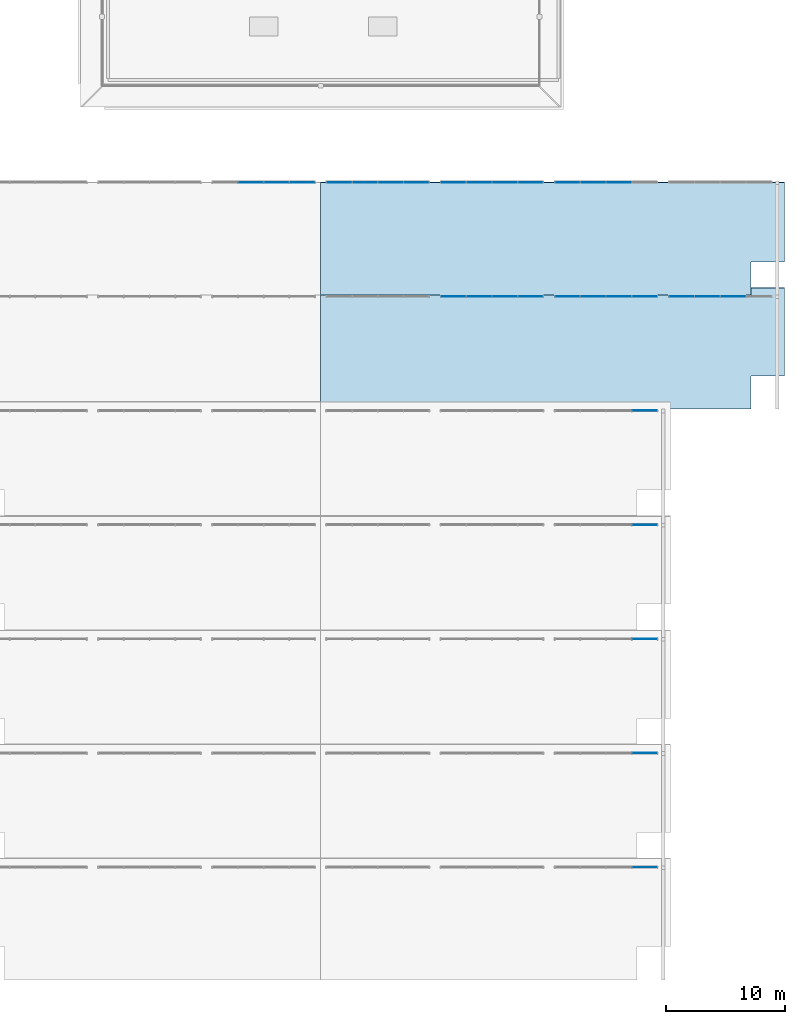
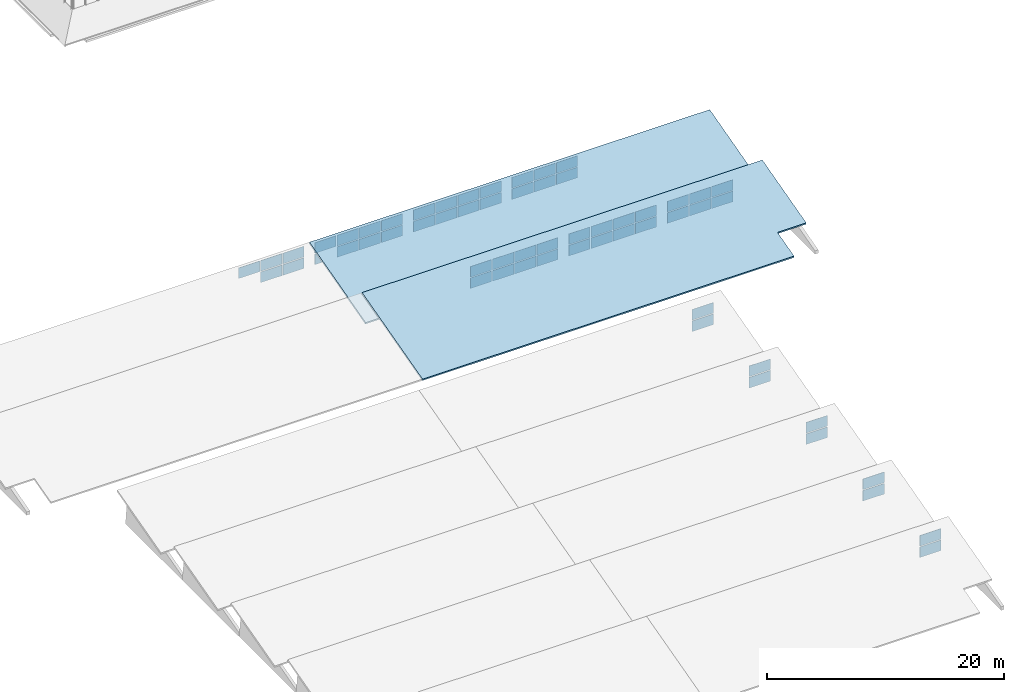
# One storey, part 15 of 18: 59 plates, 2 slabs, 12 elements without a shape of their own.
"""IFC4 building model written with IfcOpenShell, lengths in metres."""

from ifc_helpers import new_model, si_unit, direction, frame, origin, origin_2d, place, context, subcontext, project, spatial, polyline, rectangle, outline, extrude, material, layer, layer_set, type_object, element, aggregate, save


model = new_model("IFC4")

# Units and contexts
model_context = context("Model", 3, precision=1e-05, world=origin(), true_north=direction((0.0, 1.0)))
body_context = subcontext(model_context, "Body", "Model", "MODEL_VIEW")
ifc_project = project(units=[si_unit("LENGTHUNIT", "METRE"), si_unit("AREAUNIT", "SQUARE_METRE"), si_unit("VOLUMEUNIT", "CUBIC_METRE"), si_unit("PLANEANGLEUNIT", "RADIAN"), si_unit("MASSUNIT", "GRAM", prefix="KILO")], contexts=[model_context])

# Site, building, storey
site_placement = place(None, origin())
site = spatial("IfcSite", under=ifc_project, at=site_placement, CompositionType="ELEMENT")
building_placement = place(site_placement, origin())
building = spatial("IfcBuilding", under=site, at=building_placement, Name="Bempovik Park Faculty of Sciences", CompositionType="ELEMENT")
storey_placement = place(building_placement, frame((0.0, 0.0, 50.10009765625)))
storey = spatial("IfcBuildingStorey", under=building, at=storey_placement, Name="Roof", CompositionType="ELEMENT", Elevation=50.10009765625)

# Curtain wall, plates
ifc_material_1 = material(Name="Tempered laminated low-E glass", Category="glass")
ifc_layer_1 = layer(ifc_material_1, 0.159912109375)
ifc_layer_set_1 = layer_set([ifc_layer_1], Name="Tempered laminated low-E glass")
curtain_wall_type_1 = type_object("IfcCurtainWallType", Name="CW-17 Curtain 7200x2550", PredefinedType="USERDEFINED", material=ifc_layer_set_1)
curtain_wall_1_placement = place(storey_placement, origin())
curtain_wall_1 = element("IfcCurtainWall", 1, at=curtain_wall_1_placement, inside=storey, type_object=curtain_wall_type_1, Name="V1 Sawtooth North-Light Clerestory Bay 1 (108.0-117.6)", ObjectType="NORTH LIGHT CLERESTORY", PredefinedType="USERDEFINED")
ifc_layer_2 = layer(ifc_material_1, 0.031982421875)
ifc_layer_set_2 = layer_set([ifc_layer_2], Name="Tempered laminated low-E glass")
plate_type = type_object("IfcPlateType", Name="CP-23 Curtain Panel 32mm", PredefinedType="CURTAIN_PANEL", material=ifc_layer_set_2)
plate_1_placement = place(storey_placement, frame((116.0400390625, 29.280029296875, -30.16015625), z_axis=(0.0, 0.0, 1.0), x_axis=(1.0, 0.0, 0.0)))
plate_1 = element("IfcPlate", 2, at=plate_1_placement, type_object=plate_type, Name="CW-NL-V1-B1-1080 Panel 3-0", PredefinedType="CURTAIN_PANEL", context=body_context, shape_type="SweptSolid", body=[
    extrude(rectangle(XDim=2.080078125, YDim=0.035888671875, at=origin_2d()), origin(), (0.0, 0.0, 1.0), 1.09619140625),
])
plate_2_placement = place(storey_placement, frame((116.0400390625, 29.280029296875, -28.98388671875), z_axis=(0.0, 0.0, 1.0), x_axis=(1.0, 0.0, 0.0)))
plate_2 = element("IfcPlate", 3, at=plate_2_placement, type_object=plate_type, Name="CW-NL-V1-B1-1080 Panel 3-1", PredefinedType="CURTAIN_PANEL", context=body_context, shape_type="SweptSolid", body=[
    extrude(rectangle(XDim=2.080078125, YDim=0.035888671875, at=origin_2d()), origin(), (0.0, 0.0, 1.0), 1.09619140625),
])
aggregate(curtain_wall_1, [plate_1, plate_2])

curtain_wall_2_placement = place(storey_placement, origin())
curtain_wall_2 = element("IfcCurtainWall", 4, at=curtain_wall_2_placement, inside=storey, type_object=curtain_wall_type_1, Name="V1 Sawtooth North-Light Clerestory Bay 2 (108.0-117.6)", ObjectType="NORTH LIGHT CLERESTORY", PredefinedType="USERDEFINED")
plate_3_placement = place(storey_placement, frame((116.0400390625, 38.8798828125, -30.16015625), z_axis=(0.0, 0.0, 1.0), x_axis=(1.0, 0.0, 0.0)))
plate_3 = element("IfcPlate", 5, at=plate_3_placement, type_object=plate_type, Name="CW-NL-V1-B2-1080 Panel 3-0", PredefinedType="CURTAIN_PANEL", context=body_context, shape_type="SweptSolid", body=[
    extrude(rectangle(XDim=2.080078125, YDim=0.035888671875, at=origin_2d()), origin(), (0.0, 0.0, 1.0), 1.09619140625),
])
plate_4_placement = place(storey_placement, frame((116.0400390625, 38.8798828125, -28.98388671875), z_axis=(0.0, 0.0, 1.0), x_axis=(1.0, 0.0, 0.0)))
plate_4 = element("IfcPlate", 6, at=plate_4_placement, type_object=plate_type, Name="CW-NL-V1-B2-1080 Panel 3-1", PredefinedType="CURTAIN_PANEL", context=body_context, shape_type="SweptSolid", body=[
    extrude(rectangle(XDim=2.080078125, YDim=0.035888671875, at=origin_2d()), origin(), (0.0, 0.0, 1.0), 1.09619140625),
])
aggregate(curtain_wall_2, [plate_3, plate_4])

curtain_wall_3_placement = place(storey_placement, origin())
curtain_wall_3 = element("IfcCurtainWall", 7, at=curtain_wall_3_placement, inside=storey, type_object=curtain_wall_type_1, Name="V1 Sawtooth North-Light Clerestory Bay 3 (108.0-117.6)", ObjectType="NORTH LIGHT CLERESTORY", PredefinedType="USERDEFINED")
plate_5_placement = place(storey_placement, frame((116.0400390625, 48.47998046875, -30.16015625), z_axis=(0.0, 0.0, 1.0), x_axis=(1.0, 0.0, 0.0)))
plate_5 = element("IfcPlate", 8, at=plate_5_placement, type_object=plate_type, Name="CW-NL-V1-B3-1080 Panel 3-0", PredefinedType="CURTAIN_PANEL", context=body_context, shape_type="SweptSolid", body=[
    extrude(rectangle(XDim=2.080078125, YDim=0.035888671875, at=origin_2d()), origin(), (0.0, 0.0, 1.0), 1.09619140625),
])
plate_6_placement = place(storey_placement, frame((116.0400390625, 48.47998046875, -28.98388671875), z_axis=(0.0, 0.0, 1.0), x_axis=(1.0, 0.0, 0.0)))
plate_6 = element("IfcPlate", 9, at=plate_6_placement, type_object=plate_type, Name="CW-NL-V1-B3-1080 Panel 3-1", PredefinedType="CURTAIN_PANEL", context=body_context, shape_type="SweptSolid", body=[
    extrude(rectangle(XDim=2.080078125, YDim=0.035888671875, at=origin_2d()), origin(), (0.0, 0.0, 1.0), 1.09619140625),
])
aggregate(curtain_wall_3, [plate_5, plate_6])

curtain_wall_4_placement = place(storey_placement, origin())
curtain_wall_4 = element("IfcCurtainWall", 10, at=curtain_wall_4_placement, inside=storey, type_object=curtain_wall_type_1, Name="V1 Sawtooth North-Light Clerestory Bay 4 (108.0-117.6)", ObjectType="NORTH LIGHT CLERESTORY", PredefinedType="USERDEFINED")
plate_7_placement = place(storey_placement, frame((116.0400390625, 58.080078125, -30.16015625), z_axis=(0.0, 0.0, 1.0), x_axis=(1.0, 0.0, 0.0)))
plate_7 = element("IfcPlate", 11, at=plate_7_placement, type_object=plate_type, Name="CW-NL-V1-B4-1080 Panel 3-0", PredefinedType="CURTAIN_PANEL", context=body_context, shape_type="SweptSolid", body=[
    extrude(rectangle(XDim=2.080078125, YDim=0.035888671875, at=origin_2d()), origin(), (0.0, 0.0, 1.0), 1.09619140625),
])
plate_8_placement = place(storey_placement, frame((116.0400390625, 58.080078125, -28.98388671875), z_axis=(0.0, 0.0, 1.0), x_axis=(1.0, 0.0, 0.0)))
plate_8 = element("IfcPlate", 12, at=plate_8_placement, type_object=plate_type, Name="CW-NL-V1-B4-1080 Panel 3-1", PredefinedType="CURTAIN_PANEL", context=body_context, shape_type="SweptSolid", body=[
    extrude(rectangle(XDim=2.080078125, YDim=0.035888671875, at=origin_2d()), origin(), (0.0, 0.0, 1.0), 1.09619140625),
])
aggregate(curtain_wall_4, [plate_7, plate_8])

curtain_wall_5_placement = place(storey_placement, origin())
curtain_wall_5 = element("IfcCurtainWall", 13, at=curtain_wall_5_placement, inside=storey, type_object=curtain_wall_type_1, Name="V1 Sawtooth North-Light Clerestory Bay 5 (108.0-117.6)", ObjectType="NORTH LIGHT CLERESTORY", PredefinedType="USERDEFINED")
plate_9_placement = place(storey_placement, frame((116.0400390625, 67.679931640625, -30.16015625), z_axis=(0.0, 0.0, 1.0), x_axis=(1.0, 0.0, 0.0)))
plate_9 = element("IfcPlate", 14, at=plate_9_placement, type_object=plate_type, Name="CW-NL-V1-B5-1080 Panel 3-0", PredefinedType="CURTAIN_PANEL", context=body_context, shape_type="SweptSolid", body=[
    extrude(rectangle(XDim=2.080078125, YDim=0.035888671875, at=origin_2d()), origin(), (0.0, 0.0, 1.0), 1.09619140625),
])
plate_10_placement = place(storey_placement, frame((116.0400390625, 67.679931640625, -28.98388671875), z_axis=(0.0, 0.0, 1.0), x_axis=(1.0, 0.0, 0.0)))
plate_10 = element("IfcPlate", 15, at=plate_10_placement, type_object=plate_type, Name="CW-NL-V1-B5-1080 Panel 3-1", PredefinedType="CURTAIN_PANEL", context=body_context, shape_type="SweptSolid", body=[
    extrude(rectangle(XDim=2.080078125, YDim=0.035888671875, at=origin_2d()), origin(), (0.0, 0.0, 1.0), 1.09619140625),
])
aggregate(curtain_wall_5, [plate_9, plate_10])

ifc_layer_3 = layer(ifc_material_1, 0.159912109375)
ifc_layer_set_3 = layer_set([ifc_layer_3], Name="Tempered laminated low-E glass")
curtain_wall_type_2 = type_object("IfcCurtainWallType", Name="CW-15 Curtain 8000x2550", PredefinedType="USERDEFINED", material=ifc_layer_set_3)
curtain_wall_6_placement = place(storey_placement, origin())
curtain_wall_6 = element("IfcCurtainWall", 16, at=curtain_wall_6_placement, inside=storey, type_object=curtain_wall_type_2, Name="V2 Atrium Sawtooth North-Light Clerestory Bay 1 (98.4-108.0)", ObjectType="NORTH LIGHT CLERESTORY", PredefinedType="USERDEFINED")
plate_11_placement = place(storey_placement, frame((99.9599609375, 77.280029296875, -25.93017578125), z_axis=(0.0, 0.0, 1.0), x_axis=(1.0, 0.0, 0.0)))
plate_11 = element("IfcPlate", 17, at=plate_11_placement, type_object=plate_type, Name="CW-NL-V2-B1-984 Panel 0-0", PredefinedType="CURTAIN_PANEL", context=body_context, shape_type="SweptSolid", body=[
    extrude(rectangle(XDim=2.080078125, YDim=0.035888671875, at=origin_2d()), origin(), (0.0, 0.0, 1.0), 1.09619140625),
])
plate_12_placement = place(storey_placement, frame((99.9599609375, 77.280029296875, -24.75390625), z_axis=(0.0, 0.0, 1.0), x_axis=(1.0, 0.0, 0.0)))
plate_12 = element("IfcPlate", 18, at=plate_12_placement, type_object=plate_type, Name="CW-NL-V2-B1-984 Panel 0-1", PredefinedType="CURTAIN_PANEL", context=body_context, shape_type="SweptSolid", body=[
    extrude(rectangle(XDim=2.080078125, YDim=0.035888671875, at=origin_2d()), origin(), (0.0, 0.0, 1.0), 1.09619140625),
])
plate_13_placement = place(storey_placement, frame((102.1201171875, 77.280029296875, -25.93017578125), z_axis=(0.0, 0.0, 1.0), x_axis=(1.0, 0.0, 0.0)))
plate_13 = element("IfcPlate", 19, at=plate_13_placement, type_object=plate_type, Name="CW-NL-V2-B1-984 Panel 1-0", PredefinedType="CURTAIN_PANEL", context=body_context, shape_type="SweptSolid", body=[
    extrude(rectangle(XDim=2.080078125, YDim=0.035888671875, at=origin_2d()), origin(), (0.0, 0.0, 1.0), 1.09619140625),
])
plate_14_placement = place(storey_placement, frame((102.1201171875, 77.280029296875, -24.75390625), z_axis=(0.0, 0.0, 1.0), x_axis=(1.0, 0.0, 0.0)))
plate_14 = element("IfcPlate", 20, at=plate_14_placement, type_object=plate_type, Name="CW-NL-V2-B1-984 Panel 1-1", PredefinedType="CURTAIN_PANEL", context=body_context, shape_type="SweptSolid", body=[
    extrude(rectangle(XDim=2.080078125, YDim=0.035888671875, at=origin_2d()), origin(), (0.0, 0.0, 1.0), 1.09619140625),
])
plate_15_placement = place(storey_placement, frame((104.280029296875, 77.280029296875, -25.93017578125), z_axis=(0.0, 0.0, 1.0), x_axis=(1.0, 0.0, 0.0)))
plate_15 = element("IfcPlate", 21, at=plate_15_placement, type_object=plate_type, Name="CW-NL-V2-B1-984 Panel 2-0", PredefinedType="CURTAIN_PANEL", context=body_context, shape_type="SweptSolid", body=[
    extrude(rectangle(XDim=2.080078125, YDim=0.035888671875, at=origin_2d()), origin(), (0.0, 0.0, 1.0), 1.09619140625),
])
plate_16_placement = place(storey_placement, frame((104.280029296875, 77.280029296875, -24.75390625), z_axis=(0.0, 0.0, 1.0), x_axis=(1.0, 0.0, 0.0)))
plate_16 = element("IfcPlate", 22, at=plate_16_placement, type_object=plate_type, Name="CW-NL-V2-B1-984 Panel 2-1", PredefinedType="CURTAIN_PANEL", context=body_context, shape_type="SweptSolid", body=[
    extrude(rectangle(XDim=2.080078125, YDim=0.035888671875, at=origin_2d()), origin(), (0.0, 0.0, 1.0), 1.09619140625),
])
plate_17_placement = place(storey_placement, frame((106.43994140625, 77.280029296875, -25.93017578125), z_axis=(0.0, 0.0, 1.0), x_axis=(1.0, 0.0, 0.0)))
plate_17 = element("IfcPlate", 23, at=plate_17_placement, type_object=plate_type, Name="CW-NL-V2-B1-984 Panel 3-0", PredefinedType="CURTAIN_PANEL", context=body_context, shape_type="SweptSolid", body=[
    extrude(rectangle(XDim=2.080078125, YDim=0.035888671875, at=origin_2d()), origin(), (0.0, 0.0, 1.0), 1.09619140625),
])
plate_18_placement = place(storey_placement, frame((106.43994140625, 77.280029296875, -24.75390625), z_axis=(0.0, 0.0, 1.0), x_axis=(1.0, 0.0, 0.0)))
plate_18 = element("IfcPlate", 24, at=plate_18_placement, type_object=plate_type, Name="CW-NL-V2-B1-984 Panel 3-1", PredefinedType="CURTAIN_PANEL", context=body_context, shape_type="SweptSolid", body=[
    extrude(rectangle(XDim=2.080078125, YDim=0.035888671875, at=origin_2d()), origin(), (0.0, 0.0, 1.0), 1.09619140625),
])
aggregate(curtain_wall_6, [plate_11, plate_12, plate_13, plate_14, plate_15, plate_16, plate_17, plate_18])

curtain_wall_7_placement = place(storey_placement, origin())
curtain_wall_7 = element("IfcCurtainWall", 25, at=curtain_wall_7_placement, inside=storey, type_object=curtain_wall_type_2, Name="V2 Atrium Sawtooth North-Light Clerestory Bay 1 (108.0-117.6)", ObjectType="NORTH LIGHT CLERESTORY", PredefinedType="USERDEFINED")
plate_19_placement = place(storey_placement, frame((109.56005859375, 77.280029296875, -25.93017578125), z_axis=(0.0, 0.0, 1.0), x_axis=(1.0, 0.0, 0.0)))
plate_19 = element("IfcPlate", 26, at=plate_19_placement, type_object=plate_type, Name="CW-NL-V2-B1-1080 Panel 0-0", PredefinedType="CURTAIN_PANEL", context=body_context, shape_type="SweptSolid", body=[
    extrude(rectangle(XDim=2.080078125, YDim=0.035888671875, at=origin_2d()), origin(), (0.0, 0.0, 1.0), 1.09619140625),
])
plate_20_placement = place(storey_placement, frame((109.56005859375, 77.280029296875, -24.75390625), z_axis=(0.0, 0.0, 1.0), x_axis=(1.0, 0.0, 0.0)))
plate_20 = element("IfcPlate", 27, at=plate_20_placement, type_object=plate_type, Name="CW-NL-V2-B1-1080 Panel 0-1", PredefinedType="CURTAIN_PANEL", context=body_context, shape_type="SweptSolid", body=[
    extrude(rectangle(XDim=2.080078125, YDim=0.035888671875, at=origin_2d()), origin(), (0.0, 0.0, 1.0), 1.09619140625),
])
plate_21_placement = place(storey_placement, frame((111.719970703125, 77.280029296875, -25.93017578125), z_axis=(0.0, 0.0, 1.0), x_axis=(1.0, 0.0, 0.0)))
plate_21 = element("IfcPlate", 28, at=plate_21_placement, type_object=plate_type, Name="CW-NL-V2-B1-1080 Panel 1-0", PredefinedType="CURTAIN_PANEL", context=body_context, shape_type="SweptSolid", body=[
    extrude(rectangle(XDim=2.080078125, YDim=0.035888671875, at=origin_2d()), origin(), (0.0, 0.0, 1.0), 1.09619140625),
])
plate_22_placement = place(storey_placement, frame((111.719970703125, 77.280029296875, -24.75390625), z_axis=(0.0, 0.0, 1.0), x_axis=(1.0, 0.0, 0.0)))
plate_22 = element("IfcPlate", 29, at=plate_22_placement, type_object=plate_type, Name="CW-NL-V2-B1-1080 Panel 1-1", PredefinedType="CURTAIN_PANEL", context=body_context, shape_type="SweptSolid", body=[
    extrude(rectangle(XDim=2.080078125, YDim=0.035888671875, at=origin_2d()), origin(), (0.0, 0.0, 1.0), 1.09619140625),
])
plate_23_placement = place(storey_placement, frame((113.8798828125, 77.280029296875, -25.93017578125), z_axis=(0.0, 0.0, 1.0), x_axis=(1.0, 0.0, 0.0)))
plate_23 = element("IfcPlate", 30, at=plate_23_placement, type_object=plate_type, Name="CW-NL-V2-B1-1080 Panel 2-0", PredefinedType="CURTAIN_PANEL", context=body_context, shape_type="SweptSolid", body=[
    extrude(rectangle(XDim=2.080078125, YDim=0.035888671875, at=origin_2d()), origin(), (0.0, 0.0, 1.0), 1.09619140625),
])
plate_24_placement = place(storey_placement, frame((113.8798828125, 77.280029296875, -24.75390625), z_axis=(0.0, 0.0, 1.0), x_axis=(1.0, 0.0, 0.0)))
plate_24 = element("IfcPlate", 31, at=plate_24_placement, type_object=plate_type, Name="CW-NL-V2-B1-1080 Panel 2-1", PredefinedType="CURTAIN_PANEL", context=body_context, shape_type="SweptSolid", body=[
    extrude(rectangle(XDim=2.080078125, YDim=0.035888671875, at=origin_2d()), origin(), (0.0, 0.0, 1.0), 1.09619140625),
])
plate_25_placement = place(storey_placement, frame((116.0400390625, 77.280029296875, -25.93017578125), z_axis=(0.0, 0.0, 1.0), x_axis=(1.0, 0.0, 0.0)))
plate_25 = element("IfcPlate", 32, at=plate_25_placement, type_object=plate_type, Name="CW-NL-V2-B1-1080 Panel 3-0", PredefinedType="CURTAIN_PANEL", context=body_context, shape_type="SweptSolid", body=[
    extrude(rectangle(XDim=2.080078125, YDim=0.035888671875, at=origin_2d()), origin(), (0.0, 0.0, 1.0), 1.09619140625),
])
plate_26_placement = place(storey_placement, frame((116.0400390625, 77.280029296875, -24.75390625), z_axis=(0.0, 0.0, 1.0), x_axis=(1.0, 0.0, 0.0)))
plate_26 = element("IfcPlate", 33, at=plate_26_placement, type_object=plate_type, Name="CW-NL-V2-B1-1080 Panel 3-1", PredefinedType="CURTAIN_PANEL", context=body_context, shape_type="SweptSolid", body=[
    extrude(rectangle(XDim=2.080078125, YDim=0.035888671875, at=origin_2d()), origin(), (0.0, 0.0, 1.0), 1.09619140625),
])
aggregate(curtain_wall_7, [plate_19, plate_20, plate_21, plate_22, plate_23, plate_24, plate_25, plate_26])

ifc_layer_4 = layer(ifc_material_1, 0.159912109375)
ifc_layer_set_4 = layer_set([ifc_layer_4], Name="Tempered laminated low-E glass")
curtain_wall_type_3 = type_object("IfcCurtainWallType", Name="CW-29 Curtain 6400x2550", PredefinedType="USERDEFINED", material=ifc_layer_set_4)
curtain_wall_8_placement = place(storey_placement, origin())
curtain_wall_8 = element("IfcCurtainWall", 34, at=curtain_wall_8_placement, inside=storey, type_object=curtain_wall_type_3, Name="V2 Atrium Sawtooth North-Light Clerestory Bay 1 (117.6-127.2)", ObjectType="NORTH LIGHT CLERESTORY", PredefinedType="USERDEFINED")
plate_27_placement = place(storey_placement, frame((119.159912109375, 77.280029296875, -25.93017578125), z_axis=(0.0, 0.0, 1.0), x_axis=(1.0, 0.0, 0.0)))
plate_27 = element("IfcPlate", 35, at=plate_27_placement, type_object=plate_type, Name="CW-NL-V2-B1-1176 Panel 0-0", PredefinedType="CURTAIN_PANEL", context=body_context, shape_type="SweptSolid", body=[
    extrude(rectangle(XDim=2.080078125, YDim=0.035888671875, at=origin_2d()), origin(), (0.0, 0.0, 1.0), 1.09619140625),
])
plate_28_placement = place(storey_placement, frame((119.159912109375, 77.280029296875, -24.75390625), z_axis=(0.0, 0.0, 1.0), x_axis=(1.0, 0.0, 0.0)))
plate_28 = element("IfcPlate", 36, at=plate_28_placement, type_object=plate_type, Name="CW-NL-V2-B1-1176 Panel 0-1", PredefinedType="CURTAIN_PANEL", context=body_context, shape_type="SweptSolid", body=[
    extrude(rectangle(XDim=2.080078125, YDim=0.035888671875, at=origin_2d()), origin(), (0.0, 0.0, 1.0), 1.09619140625),
])
plate_29_placement = place(storey_placement, frame((121.320068359375, 77.280029296875, -25.93017578125), z_axis=(0.0, 0.0, 1.0), x_axis=(1.0, 0.0, 0.0)))
plate_29 = element("IfcPlate", 37, at=plate_29_placement, type_object=plate_type, Name="CW-NL-V2-B1-1176 Panel 1-0", PredefinedType="CURTAIN_PANEL", context=body_context, shape_type="SweptSolid", body=[
    extrude(rectangle(XDim=2.080078125, YDim=0.035888671875, at=origin_2d()), origin(), (0.0, 0.0, 1.0), 1.09619140625),
])
plate_30_placement = place(storey_placement, frame((121.320068359375, 77.280029296875, -24.75390625), z_axis=(0.0, 0.0, 1.0), x_axis=(1.0, 0.0, 0.0)))
plate_30 = element("IfcPlate", 38, at=plate_30_placement, type_object=plate_type, Name="CW-NL-V2-B1-1176 Panel 1-1", PredefinedType="CURTAIN_PANEL", context=body_context, shape_type="SweptSolid", body=[
    extrude(rectangle(XDim=2.080078125, YDim=0.035888671875, at=origin_2d()), origin(), (0.0, 0.0, 1.0), 1.09619140625),
])
plate_31_placement = place(storey_placement, frame((123.47998046875, 77.280029296875, -25.93017578125), z_axis=(0.0, 0.0, 1.0), x_axis=(1.0, 0.0, 0.0)))
plate_31 = element("IfcPlate", 39, at=plate_31_placement, type_object=plate_type, Name="CW-NL-V2-B1-1176 Panel 2-0", PredefinedType="CURTAIN_PANEL", context=body_context, shape_type="SweptSolid", body=[
    extrude(rectangle(XDim=2.080078125, YDim=0.035888671875, at=origin_2d()), origin(), (0.0, 0.0, 1.0), 1.09619140625),
])
plate_32_placement = place(storey_placement, frame((123.47998046875, 77.280029296875, -24.75390625), z_axis=(0.0, 0.0, 1.0), x_axis=(1.0, 0.0, 0.0)))
plate_32 = element("IfcPlate", 40, at=plate_32_placement, type_object=plate_type, Name="CW-NL-V2-B1-1176 Panel 2-1", PredefinedType="CURTAIN_PANEL", context=body_context, shape_type="SweptSolid", body=[
    extrude(rectangle(XDim=2.080078125, YDim=0.035888671875, at=origin_2d()), origin(), (0.0, 0.0, 1.0), 1.09619140625),
])
aggregate(curtain_wall_8, [plate_27, plate_28, plate_29, plate_30, plate_31, plate_32])

curtain_wall_9_placement = place(storey_placement, origin())
curtain_wall_9 = element("IfcCurtainWall", 41, at=curtain_wall_9_placement, inside=storey, type_object=curtain_wall_type_2, Name="V2 Atrium Sawtooth North-Light Clerestory Bay 2 (79.2-88.8)", ObjectType="NORTH LIGHT CLERESTORY", PredefinedType="USERDEFINED")
plate_33_placement = place(storey_placement, frame((82.919921875, 86.8798828125, -24.75390625), z_axis=(0.0, 0.0, 1.0), x_axis=(1.0, 0.0, 0.0)))
plate_33 = element("IfcPlate", 42, at=plate_33_placement, type_object=plate_type, Name="CW-NL-V2-B2-792 Panel 1-1", PredefinedType="CURTAIN_PANEL", context=body_context, shape_type="SweptSolid", body=[
    extrude(rectangle(XDim=2.080078125, YDim=0.035888671875, at=origin_2d()), origin(), (0.0, 0.0, 1.0), 1.09619140625),
])
plate_34_placement = place(storey_placement, frame((85.080078125, 86.8798828125, -25.93017578125), z_axis=(0.0, 0.0, 1.0), x_axis=(1.0, 0.0, 0.0)))
plate_34 = element("IfcPlate", 43, at=plate_34_placement, type_object=plate_type, Name="CW-NL-V2-B2-792 Panel 2-0", PredefinedType="CURTAIN_PANEL", context=body_context, shape_type="SweptSolid", body=[
    extrude(rectangle(XDim=2.080078125, YDim=0.035888671875, at=origin_2d()), origin(), (0.0, 0.0, 1.0), 1.09619140625),
])
plate_35_placement = place(storey_placement, frame((85.080078125, 86.8798828125, -24.75390625), z_axis=(0.0, 0.0, 1.0), x_axis=(1.0, 0.0, 0.0)))
plate_35 = element("IfcPlate", 44, at=plate_35_placement, type_object=plate_type, Name="CW-NL-V2-B2-792 Panel 2-1", PredefinedType="CURTAIN_PANEL", context=body_context, shape_type="SweptSolid", body=[
    extrude(rectangle(XDim=2.080078125, YDim=0.035888671875, at=origin_2d()), origin(), (0.0, 0.0, 1.0), 1.09619140625),
])
plate_36_placement = place(storey_placement, frame((87.239990234375, 86.8798828125, -25.93017578125), z_axis=(0.0, 0.0, 1.0), x_axis=(1.0, 0.0, 0.0)))
plate_36 = element("IfcPlate", 45, at=plate_36_placement, type_object=plate_type, Name="CW-NL-V2-B2-792 Panel 3-0", PredefinedType="CURTAIN_PANEL", context=body_context, shape_type="SweptSolid", body=[
    extrude(rectangle(XDim=2.080078125, YDim=0.035888671875, at=origin_2d()), origin(), (0.0, 0.0, 1.0), 1.09619140625),
])
plate_37_placement = place(storey_placement, frame((87.239990234375, 86.8798828125, -24.75390625), z_axis=(0.0, 0.0, 1.0), x_axis=(1.0, 0.0, 0.0)))
plate_37 = element("IfcPlate", 46, at=plate_37_placement, type_object=plate_type, Name="CW-NL-V2-B2-792 Panel 3-1", PredefinedType="CURTAIN_PANEL", context=body_context, shape_type="SweptSolid", body=[
    extrude(rectangle(XDim=2.080078125, YDim=0.035888671875, at=origin_2d()), origin(), (0.0, 0.0, 1.0), 1.09619140625),
])
aggregate(curtain_wall_9, [plate_33, plate_34, plate_35, plate_36, plate_37])

curtain_wall_10_placement = place(storey_placement, origin())
curtain_wall_10 = element("IfcCurtainWall", 47, at=curtain_wall_10_placement, inside=storey, type_object=curtain_wall_type_2, Name="V2 Atrium Sawtooth North-Light Clerestory Bay 2 (88.8-98.4)", ObjectType="NORTH LIGHT CLERESTORY", PredefinedType="USERDEFINED")
plate_38_placement = place(storey_placement, frame((90.360107421875, 86.8798828125, -25.93017578125), z_axis=(0.0, 0.0, 1.0), x_axis=(1.0, 0.0, 0.0)))
plate_38 = element("IfcPlate", 48, at=plate_38_placement, type_object=plate_type, Name="CW-NL-V2-B2-888 Panel 0-0", PredefinedType="CURTAIN_PANEL", context=body_context, shape_type="SweptSolid", body=[
    extrude(rectangle(XDim=2.080078125, YDim=0.035888671875, at=origin_2d()), origin(), (0.0, 0.0, 1.0), 1.09619140625),
])
plate_39_placement = place(storey_placement, frame((90.360107421875, 86.8798828125, -24.75390625), z_axis=(0.0, 0.0, 1.0), x_axis=(1.0, 0.0, 0.0)))
plate_39 = element("IfcPlate", 49, at=plate_39_placement, type_object=plate_type, Name="CW-NL-V2-B2-888 Panel 0-1", PredefinedType="CURTAIN_PANEL", context=body_context, shape_type="SweptSolid", body=[
    extrude(rectangle(XDim=2.080078125, YDim=0.035888671875, at=origin_2d()), origin(), (0.0, 0.0, 1.0), 1.09619140625),
])
plate_40_placement = place(storey_placement, frame((92.52001953125, 86.8798828125, -25.93017578125), z_axis=(0.0, 0.0, 1.0), x_axis=(1.0, 0.0, 0.0)))
plate_40 = element("IfcPlate", 50, at=plate_40_placement, type_object=plate_type, Name="CW-NL-V2-B2-888 Panel 1-0", PredefinedType="CURTAIN_PANEL", context=body_context, shape_type="SweptSolid", body=[
    extrude(rectangle(XDim=2.080078125, YDim=0.035888671875, at=origin_2d()), origin(), (0.0, 0.0, 1.0), 1.09619140625),
])
plate_41_placement = place(storey_placement, frame((92.52001953125, 86.8798828125, -24.75390625), z_axis=(0.0, 0.0, 1.0), x_axis=(1.0, 0.0, 0.0)))
plate_41 = element("IfcPlate", 51, at=plate_41_placement, type_object=plate_type, Name="CW-NL-V2-B2-888 Panel 1-1", PredefinedType="CURTAIN_PANEL", context=body_context, shape_type="SweptSolid", body=[
    extrude(rectangle(XDim=2.080078125, YDim=0.035888671875, at=origin_2d()), origin(), (0.0, 0.0, 1.0), 1.09619140625),
])
plate_42_placement = place(storey_placement, frame((94.679931640625, 86.8798828125, -25.93017578125), z_axis=(0.0, 0.0, 1.0), x_axis=(1.0, 0.0, 0.0)))
plate_42 = element("IfcPlate", 52, at=plate_42_placement, type_object=plate_type, Name="CW-NL-V2-B2-888 Panel 2-0", PredefinedType="CURTAIN_PANEL", context=body_context, shape_type="SweptSolid", body=[
    extrude(rectangle(XDim=2.080078125, YDim=0.035888671875, at=origin_2d()), origin(), (0.0, 0.0, 1.0), 1.09619140625),
])
plate_43_placement = place(storey_placement, frame((94.679931640625, 86.8798828125, -24.75390625), z_axis=(0.0, 0.0, 1.0), x_axis=(1.0, 0.0, 0.0)))
plate_43 = element("IfcPlate", 53, at=plate_43_placement, type_object=plate_type, Name="CW-NL-V2-B2-888 Panel 2-1", PredefinedType="CURTAIN_PANEL", context=body_context, shape_type="SweptSolid", body=[
    extrude(rectangle(XDim=2.080078125, YDim=0.035888671875, at=origin_2d()), origin(), (0.0, 0.0, 1.0), 1.09619140625),
])
plate_44_placement = place(storey_placement, frame((96.840087890625, 86.8798828125, -25.93017578125), z_axis=(0.0, 0.0, 1.0), x_axis=(1.0, 0.0, 0.0)))
plate_44 = element("IfcPlate", 54, at=plate_44_placement, type_object=plate_type, Name="CW-NL-V2-B2-888 Panel 3-0", PredefinedType="CURTAIN_PANEL", context=body_context, shape_type="SweptSolid", body=[
    extrude(rectangle(XDim=2.080078125, YDim=0.035888671875, at=origin_2d()), origin(), (0.0, 0.0, 1.0), 1.09619140625),
])
plate_45_placement = place(storey_placement, frame((96.840087890625, 86.8798828125, -24.75390625), z_axis=(0.0, 0.0, 1.0), x_axis=(1.0, 0.0, 0.0)))
plate_45 = element("IfcPlate", 55, at=plate_45_placement, type_object=plate_type, Name="CW-NL-V2-B2-888 Panel 3-1", PredefinedType="CURTAIN_PANEL", context=body_context, shape_type="SweptSolid", body=[
    extrude(rectangle(XDim=2.080078125, YDim=0.035888671875, at=origin_2d()), origin(), (0.0, 0.0, 1.0), 1.09619140625),
])
aggregate(curtain_wall_10, [plate_38, plate_39, plate_40, plate_41, plate_42, plate_43, plate_44, plate_45])

curtain_wall_11_placement = place(storey_placement, origin())
curtain_wall_11 = element("IfcCurtainWall", 56, at=curtain_wall_11_placement, inside=storey, type_object=curtain_wall_type_2, Name="V2 Atrium Sawtooth North-Light Clerestory Bay 2 (98.4-108.0)", ObjectType="NORTH LIGHT CLERESTORY", PredefinedType="USERDEFINED")
plate_46_placement = place(storey_placement, frame((99.9599609375, 86.8798828125, -25.93017578125), z_axis=(0.0, 0.0, 1.0), x_axis=(1.0, 0.0, 0.0)))
plate_46 = element("IfcPlate", 57, at=plate_46_placement, type_object=plate_type, Name="CW-NL-V2-B2-984 Panel 0-0", PredefinedType="CURTAIN_PANEL", context=body_context, shape_type="SweptSolid", body=[
    extrude(rectangle(XDim=2.080078125, YDim=0.035888671875, at=origin_2d()), origin(), (0.0, 0.0, 1.0), 1.09619140625),
])
plate_47_placement = place(storey_placement, frame((99.9599609375, 86.8798828125, -24.75390625), z_axis=(0.0, 0.0, 1.0), x_axis=(1.0, 0.0, 0.0)))
plate_47 = element("IfcPlate", 58, at=plate_47_placement, type_object=plate_type, Name="CW-NL-V2-B2-984 Panel 0-1", PredefinedType="CURTAIN_PANEL", context=body_context, shape_type="SweptSolid", body=[
    extrude(rectangle(XDim=2.080078125, YDim=0.035888671875, at=origin_2d()), origin(), (0.0, 0.0, 1.0), 1.09619140625),
])
plate_48_placement = place(storey_placement, frame((102.1201171875, 86.8798828125, -25.93017578125), z_axis=(0.0, 0.0, 1.0), x_axis=(1.0, 0.0, 0.0)))
plate_48 = element("IfcPlate", 59, at=plate_48_placement, type_object=plate_type, Name="CW-NL-V2-B2-984 Panel 1-0", PredefinedType="CURTAIN_PANEL", context=body_context, shape_type="SweptSolid", body=[
    extrude(rectangle(XDim=2.080078125, YDim=0.035888671875, at=origin_2d()), origin(), (0.0, 0.0, 1.0), 1.09619140625),
])
plate_49_placement = place(storey_placement, frame((102.1201171875, 86.8798828125, -24.75390625), z_axis=(0.0, 0.0, 1.0), x_axis=(1.0, 0.0, 0.0)))
plate_49 = element("IfcPlate", 60, at=plate_49_placement, type_object=plate_type, Name="CW-NL-V2-B2-984 Panel 1-1", PredefinedType="CURTAIN_PANEL", context=body_context, shape_type="SweptSolid", body=[
    extrude(rectangle(XDim=2.080078125, YDim=0.035888671875, at=origin_2d()), origin(), (0.0, 0.0, 1.0), 1.09619140625),
])
plate_50_placement = place(storey_placement, frame((104.280029296875, 86.8798828125, -25.93017578125), z_axis=(0.0, 0.0, 1.0), x_axis=(1.0, 0.0, 0.0)))
plate_50 = element("IfcPlate", 61, at=plate_50_placement, type_object=plate_type, Name="CW-NL-V2-B2-984 Panel 2-0", PredefinedType="CURTAIN_PANEL", context=body_context, shape_type="SweptSolid", body=[
    extrude(rectangle(XDim=2.080078125, YDim=0.035888671875, at=origin_2d()), origin(), (0.0, 0.0, 1.0), 1.09619140625),
])
plate_51_placement = place(storey_placement, frame((104.280029296875, 86.8798828125, -24.75390625), z_axis=(0.0, 0.0, 1.0), x_axis=(1.0, 0.0, 0.0)))
plate_51 = element("IfcPlate", 62, at=plate_51_placement, type_object=plate_type, Name="CW-NL-V2-B2-984 Panel 2-1", PredefinedType="CURTAIN_PANEL", context=body_context, shape_type="SweptSolid", body=[
    extrude(rectangle(XDim=2.080078125, YDim=0.035888671875, at=origin_2d()), origin(), (0.0, 0.0, 1.0), 1.09619140625),
])
plate_52_placement = place(storey_placement, frame((106.43994140625, 86.8798828125, -25.93017578125), z_axis=(0.0, 0.0, 1.0), x_axis=(1.0, 0.0, 0.0)))
plate_52 = element("IfcPlate", 63, at=plate_52_placement, type_object=plate_type, Name="CW-NL-V2-B2-984 Panel 3-0", PredefinedType="CURTAIN_PANEL", context=body_context, shape_type="SweptSolid", body=[
    extrude(rectangle(XDim=2.080078125, YDim=0.035888671875, at=origin_2d()), origin(), (0.0, 0.0, 1.0), 1.09619140625),
])
plate_53_placement = place(storey_placement, frame((106.43994140625, 86.8798828125, -24.75390625), z_axis=(0.0, 0.0, 1.0), x_axis=(1.0, 0.0, 0.0)))
plate_53 = element("IfcPlate", 64, at=plate_53_placement, type_object=plate_type, Name="CW-NL-V2-B2-984 Panel 3-1", PredefinedType="CURTAIN_PANEL", context=body_context, shape_type="SweptSolid", body=[
    extrude(rectangle(XDim=2.080078125, YDim=0.035888671875, at=origin_2d()), origin(), (0.0, 0.0, 1.0), 1.09619140625),
])
aggregate(curtain_wall_11, [plate_46, plate_47, plate_48, plate_49, plate_50, plate_51, plate_52, plate_53])

curtain_wall_12_placement = place(storey_placement, origin())
curtain_wall_12 = element("IfcCurtainWall", 65, at=curtain_wall_12_placement, inside=storey, type_object=curtain_wall_type_2, Name="V2 Atrium Sawtooth North-Light Clerestory Bay 2 (108.0-117.6)", ObjectType="NORTH LIGHT CLERESTORY", PredefinedType="USERDEFINED")
plate_54_placement = place(storey_placement, frame((109.56005859375, 86.8798828125, -25.93017578125), z_axis=(0.0, 0.0, 1.0), x_axis=(1.0, 0.0, 0.0)))
plate_54 = element("IfcPlate", 66, at=plate_54_placement, type_object=plate_type, Name="CW-NL-V2-B2-1080 Panel 0-0", PredefinedType="CURTAIN_PANEL", context=body_context, shape_type="SweptSolid", body=[
    extrude(rectangle(XDim=2.080078125, YDim=0.035888671875, at=origin_2d()), origin(), (0.0, 0.0, 1.0), 1.09619140625),
])
plate_55_placement = place(storey_placement, frame((109.56005859375, 86.8798828125, -24.75390625), z_axis=(0.0, 0.0, 1.0), x_axis=(1.0, 0.0, 0.0)))
plate_55 = element("IfcPlate", 67, at=plate_55_placement, type_object=plate_type, Name="CW-NL-V2-B2-1080 Panel 0-1", PredefinedType="CURTAIN_PANEL", context=body_context, shape_type="SweptSolid", body=[
    extrude(rectangle(XDim=2.080078125, YDim=0.035888671875, at=origin_2d()), origin(), (0.0, 0.0, 1.0), 1.09619140625),
])
plate_56_placement = place(storey_placement, frame((111.719970703125, 86.8798828125, -25.93017578125), z_axis=(0.0, 0.0, 1.0), x_axis=(1.0, 0.0, 0.0)))
plate_56 = element("IfcPlate", 68, at=plate_56_placement, type_object=plate_type, Name="CW-NL-V2-B2-1080 Panel 1-0", PredefinedType="CURTAIN_PANEL", context=body_context, shape_type="SweptSolid", body=[
    extrude(rectangle(XDim=2.080078125, YDim=0.035888671875, at=origin_2d()), origin(), (0.0, 0.0, 1.0), 1.09619140625),
])
plate_57_placement = place(storey_placement, frame((111.719970703125, 86.8798828125, -24.75390625), z_axis=(0.0, 0.0, 1.0), x_axis=(1.0, 0.0, 0.0)))
plate_57 = element("IfcPlate", 69, at=plate_57_placement, type_object=plate_type, Name="CW-NL-V2-B2-1080 Panel 1-1", PredefinedType="CURTAIN_PANEL", context=body_context, shape_type="SweptSolid", body=[
    extrude(rectangle(XDim=2.080078125, YDim=0.035888671875, at=origin_2d()), origin(), (0.0, 0.0, 1.0), 1.09619140625),
])
plate_58_placement = place(storey_placement, frame((113.8798828125, 86.8798828125, -25.93017578125), z_axis=(0.0, 0.0, 1.0), x_axis=(1.0, 0.0, 0.0)))
plate_58 = element("IfcPlate", 70, at=plate_58_placement, type_object=plate_type, Name="CW-NL-V2-B2-1080 Panel 2-0", PredefinedType="CURTAIN_PANEL", context=body_context, shape_type="SweptSolid", body=[
    extrude(rectangle(XDim=2.080078125, YDim=0.035888671875, at=origin_2d()), origin(), (0.0, 0.0, 1.0), 1.09619140625),
])
plate_59_placement = place(storey_placement, frame((113.8798828125, 86.8798828125, -24.75390625), z_axis=(0.0, 0.0, 1.0), x_axis=(1.0, 0.0, 0.0)))
plate_59 = element("IfcPlate", 71, at=plate_59_placement, type_object=plate_type, Name="CW-NL-V2-B2-1080 Panel 2-1", PredefinedType="CURTAIN_PANEL", context=body_context, shape_type="SweptSolid", body=[
    extrude(rectangle(XDim=2.080078125, YDim=0.035888671875, at=origin_2d()), origin(), (0.0, 0.0, 1.0), 1.09619140625),
])
aggregate(curtain_wall_12, [plate_54, plate_55, plate_56, plate_57, plate_58, plate_59])

# Slabs
ifc_material_2 = material(Name="Concrete C35/45", Category="concrete")
ifc_layer_5 = layer(ifc_material_2, 0.18994140625)
ifc_layer_set_5 = layer_set([ifc_layer_5], Name="Concrete C35/45")
slab_type = type_object("IfcSlabType", Name="S-23 Slab 190mm", PredefinedType="ROOF", material=ifc_layer_set_5)
slab_1_placement = place(storey_placement, frame((88.800048828125, 67.800048828125, -25.97021484375), z_axis=(-2.450168e-06, -0.25882535475, 0.965924135599), x_axis=(0.999999999997, -6.34166e-07, 2.366676e-06)))
element("IfcSlab", 72, at=slab_1_placement, inside=storey, type_object=slab_type, Name="Sawtooth 15-deg North-Light Roof Slab V2 Bay 1 (E)", PredefinedType="ROOF", context=body_context, shape_type="SweptSolid", body=[
    extrude(outline(polyline([(0.0, 0.0), (36.199951171766344, 0.0), (36.199951172234606, 2.8988801395803785), (39.0000000003512, 2.8988801395803785), (38.999999999916554, 10.559788649351473), (3.361919072395348e-11, 10.559788649351473), (0.0, 0.0)])), origin(), (0.0, 0.0, -1.0), 0.18994140625),
])
slab_2_placement = place(storey_placement, frame((88.800048828125, 77.39990234375, -25.97021484375), z_axis=(-2.265129e-06, -0.258830163917, 0.965922846941), x_axis=(0.999999999997, -5.86284e-07, 2.18794e-06)))
element("IfcSlab", 73, at=slab_2_placement, inside=storey, type_object=slab_type, Name="Sawtooth 15-deg North-Light Roof Slab V2 Bay 2 (E)", PredefinedType="ROOF", context=body_context, shape_type="SweptSolid", body=[
    extrude(outline(polyline([(0.0, 0.0), (36.19995117178213, 0.0), (36.19995117218234, 2.8988801404959674), (39.000000000300155, 2.8988801404959674), (38.99999999992868, 9.814431641200603), (2.873303362714585e-11, 9.814431641200603), (0.0, 0.0)])), origin(), (0.0, 0.0, -1.0), 0.18994140625),
])

save(model, "model.ifc")
